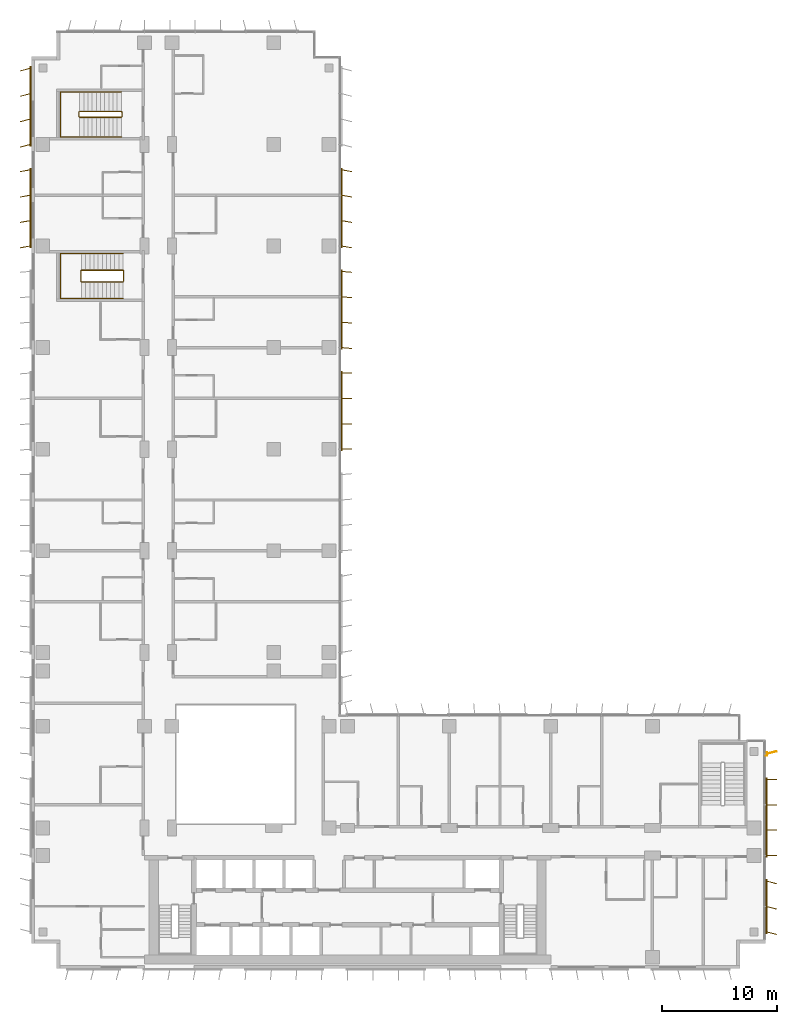
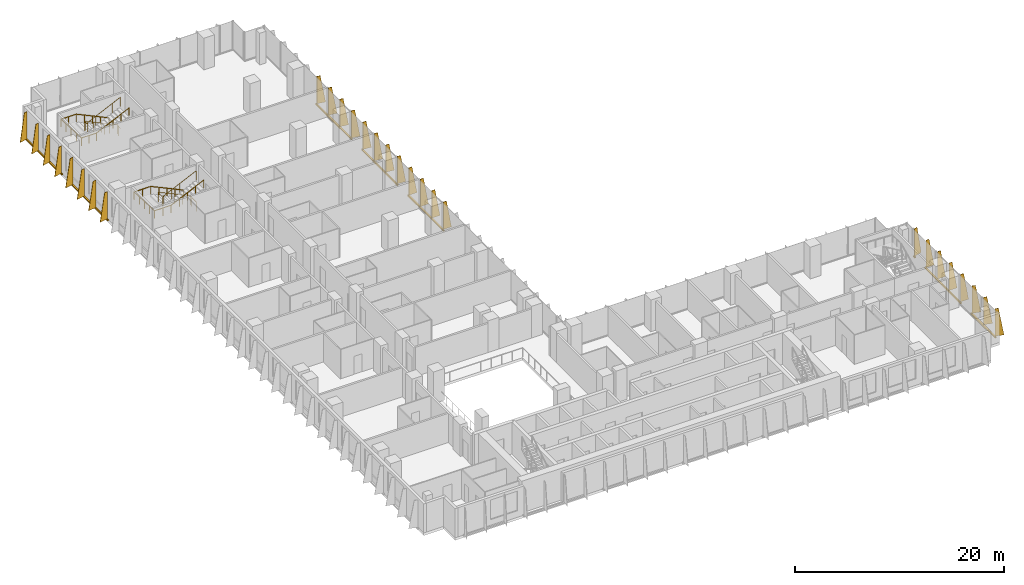
# One storey, part 22 of 23: 8 shading devices, 4 railings.
"""IFC4 building model written with IfcOpenShell, lengths in metres."""

from ifc_helpers import new_model, si_unit, direction, frame, origin, origin_2d, place, context, subcontext, project, spatial, polyline, rectangle, circle, outline, extrude, source, transform, mapped, material, layer, layer_set, type_object, element, save


model = new_model("IFC4")

# Units and contexts
model_context = context("Model", 3, precision=1e-05, world=origin(), true_north=direction((0.0, 1.0)))
body_context = subcontext(model_context, "Body", "Model", "MODEL_VIEW")
ifc_project = project(units=[si_unit("LENGTHUNIT", "METRE"), si_unit("AREAUNIT", "SQUARE_METRE"), si_unit("VOLUMEUNIT", "CUBIC_METRE"), si_unit("PLANEANGLEUNIT", "RADIAN"), si_unit("MASSUNIT", "GRAM", prefix="KILO")], contexts=[model_context])

# Site, building, storey
site_placement = place(None, origin())
site = spatial("IfcSite", under=ifc_project, at=site_placement, CompositionType="ELEMENT")
building_placement = place(site_placement, origin())
building = spatial("IfcBuilding", under=site, at=building_placement, Name="Kemantara Hotel Tower", CompositionType="ELEMENT")
storey_placement = place(building_placement, frame((0.0, 0.0, 142.0)))
storey = spatial("IfcBuildingStorey", under=building, at=storey_placement, Name="L34", CompositionType="ELEMENT", Elevation=142.0)

# Railings
ifc_material_1 = material(Name="Stainless steel balustrade", Category="steel")
railing_type_1 = type_object("IfcRailingType", Name="Stair guard 1100 mm", PredefinedType="GUARDRAIL", material=ifc_material_1)
railing_1_placement = place(storey_placement, frame((7.949951171875, 59.5, 3.699951171875)))
element("IfcRailing", 1, at=railing_1_placement, inside=storey, type_object=railing_type_1, Name="L34 ST4 stair guard 1", PredefinedType="GUARDRAIL", context=body_context, shape_type="SweptSolid", body=[
    extrude(circle(Radius=0.02392578125, at=origin_2d()), frame((0.0, 0.0, 1.076171875), z_axis=(-0.905994681025, 0.0, -0.423289071386), x_axis=(0.0, -1.0, 0.0)), (0.0, 0.0, 1.0), 3.973388671875),
    extrude(circle(Radius=0.02392578125, at=origin_2d()), frame((-3.599853515625, 0.0, -0.60595703125), z_axis=(-0.274582412415, 0.274582412415, -0.921525364591), x_axis=(-0.707106781187, -0.707106781187, 0.0)), (0.0, 0.0, 1.0), 0.182373046875),
    extrude(circle(Radius=0.02392578125, at=origin_2d()), frame((-3.64990234375, 0.050048828125, -0.77392578125), z_axis=(0.0, 1.0, 0.0), x_axis=(-1.0, 0.0, 0.0)), (0.0, 0.0, 1.0), 0.89990234375),
    extrude(circle(Radius=0.02392578125, at=origin_2d()), frame((-3.64990234375, 0.949951171875, -0.77392578125), z_axis=(0.707106781187, 0.707106781187, 0.0), x_axis=(-0.707106781187, 0.707106781187, 0.0)), (0.0, 0.0, 1.0), 0.07080078125),
    extrude(circle(Radius=0.02392578125, at=origin_2d()), frame((-3.599853515625, 1.0, -0.77392578125), z_axis=(0.905994681025, 0.0, -0.423289071386), x_axis=(0.0, 1.0, 0.0)), (0.0, 0.0, 1.0), 3.973388671875),
    extrude(circle(Radius=0.02392578125, at=origin_2d()), frame((0.0, 1.0, -2.45556640625), z_axis=(0.274243871929, -0.274243871929, -0.92172696468), x_axis=(0.707106781187, 0.707106781187, 0.0)), (0.0, 0.0, 1.0), 0.1826171875),
    extrude(circle(Radius=0.02392578125, at=origin_2d()), frame((0.050048828125, 0.949951171875, -2.6240234375), z_axis=(0.0, -1.0, 0.0), x_axis=(1.0, 0.0, 0.0)), (0.0, 0.0, 1.0), 0.89990234375),
    extrude(circle(Radius=0.02099609375, at=origin_2d()), origin(), (0.0, 0.0, 1.0), 1.052001953125),
    extrude(circle(Radius=0.02099609375, at=origin_2d()), frame((-0.89990234375, 0.0, -0.42041015625)), (0.0, 0.0, 1.0), 1.052001953125),
    extrude(circle(Radius=0.02099609375, at=origin_2d()), frame((-1.7998046875, 0.0, -0.8408203125)), (0.0, 0.0, 1.0), 1.052001953125),
    extrude(circle(Radius=0.02099609375, at=origin_2d()), frame((-2.699951171875, 0.0, -1.261474609375)), (0.0, 0.0, 1.0), 1.052001953125),
    extrude(circle(Radius=0.02099609375, at=origin_2d()), frame((-3.599853515625, 0.0, -1.681884765625)), (0.0, 0.0, 1.0), 1.052001953125),
    extrude(circle(Radius=0.02099609375, at=origin_2d()), frame((-3.64990234375, 0.050048828125, -1.849853515625)), (0.0, 0.0, 1.0), 1.052001953125),
    extrude(circle(Radius=0.02099609375, at=origin_2d()), frame((-3.64990234375, 0.949951171875, -1.849853515625)), (0.0, 0.0, 1.0), 1.052001953125),
    extrude(circle(Radius=0.02099609375, at=origin_2d()), frame((-3.599853515625, 1.0, -1.849853515625)), (0.0, 0.0, 1.0), 1.052001953125),
    extrude(circle(Radius=0.02099609375, at=origin_2d()), frame((-2.699951171875, 1.0, -2.270263671875)), (0.0, 0.0, 1.0), 1.052001953125),
    extrude(circle(Radius=0.02099609375, at=origin_2d()), frame((-1.7998046875, 1.0, -2.69091796875)), (0.0, 0.0, 1.0), 1.052001953125),
    extrude(circle(Radius=0.02099609375, at=origin_2d()), frame((-0.89990234375, 1.0, -3.111328125)), (0.0, 0.0, 1.0), 1.052001953125),
    extrude(circle(Radius=0.02099609375, at=origin_2d()), frame((0.0, 1.0, -3.53173828125)), (0.0, 0.0, 1.0), 1.052001953125),
    extrude(circle(Radius=0.02099609375, at=origin_2d()), frame((0.050048828125, 0.949951171875, -3.699951171875)), (0.0, 0.0, 1.0), 1.052001953125),
    extrude(circle(Radius=0.02099609375, at=origin_2d()), frame((0.050048828125, 0.050048828125, -3.699951171875)), (0.0, 0.0, 1.0), 1.052001953125),
])
railing_2_placement = place(storey_placement, frame((7.800048828125, 73.75, 3.699951171875)))
element("IfcRailing", 2, at=railing_2_placement, inside=storey, type_object=railing_type_1, Name="L34 ST6 stair guard 1", PredefinedType="GUARDRAIL", context=body_context, shape_type="SweptSolid", body=[
    extrude(circle(Radius=0.02392578125, at=origin_2d()), frame((0.0, 0.0, 1.076171875), z_axis=(-0.906005689286, 0.0, -0.423265508849), x_axis=(0.0, -1.0, 0.0)), (0.0, 0.0, 1.0), 3.9736328125),
    extrude(circle(Radius=0.02392578125, at=origin_2d()), frame((-3.60009765625, 0.0, -0.60595703125), z_axis=(-0.274582412415, 0.274582412415, -0.921525364591), x_axis=(-0.707106781187, -0.707106781187, 0.0)), (0.0, 0.0, 1.0), 0.182373046875),
    extrude(circle(Radius=0.02392578125, at=origin_2d()), frame((-3.650146484375, 0.050048828125, -0.77392578125), z_axis=(0.0, 1.0, 0.0), x_axis=(-1.0, 0.0, 0.0)), (0.0, 0.0, 1.0), 0.39990234375),
    extrude(circle(Radius=0.02392578125, at=origin_2d()), frame((-3.650146484375, 0.449951171875, -0.77392578125), z_axis=(0.707106781187, 0.707106781187, 0.0), x_axis=(-0.707106781187, 0.707106781187, 0.0)), (0.0, 0.0, 1.0), 0.07080078125),
    extrude(circle(Radius=0.02392578125, at=origin_2d()), frame((-3.60009765625, 0.5, -0.77392578125), z_axis=(0.906005689286, 0.0, -0.423265508849), x_axis=(0.0, 1.0, 0.0)), (0.0, 0.0, 1.0), 3.9736328125),
    extrude(circle(Radius=0.02392578125, at=origin_2d()), frame((0.0, 0.5, -2.45556640625), z_axis=(0.274243871929, -0.274243871929, -0.92172696468), x_axis=(0.707106781187, 0.707106781187, 0.0)), (0.0, 0.0, 1.0), 0.1826171875),
    extrude(circle(Radius=0.02392578125, at=origin_2d()), frame((0.050048828125, 0.449951171875, -2.6240234375), z_axis=(0.0, -1.0, 0.0), x_axis=(1.0, 0.0, 0.0)), (0.0, 0.0, 1.0), 0.39990234375),
    extrude(circle(Radius=0.02099609375, at=origin_2d()), origin(), (0.0, 0.0, 1.0), 1.052001953125),
    extrude(circle(Radius=0.02099609375, at=origin_2d()), frame((-0.89990234375, 0.0, -0.42041015625)), (0.0, 0.0, 1.0), 1.052001953125),
    extrude(circle(Radius=0.02099609375, at=origin_2d()), frame((-1.800048828125, 0.0, -0.8408203125)), (0.0, 0.0, 1.0), 1.052001953125),
    extrude(circle(Radius=0.02099609375, at=origin_2d()), frame((-2.7001953125, 0.0, -1.261474609375)), (0.0, 0.0, 1.0), 1.052001953125),
    extrude(circle(Radius=0.02099609375, at=origin_2d()), frame((-3.60009765625, 0.0, -1.681884765625)), (0.0, 0.0, 1.0), 1.052001953125),
    extrude(circle(Radius=0.02099609375, at=origin_2d()), frame((-3.650146484375, 0.050048828125, -1.849853515625)), (0.0, 0.0, 1.0), 1.052001953125),
    extrude(circle(Radius=0.02099609375, at=origin_2d()), frame((-3.650146484375, 0.449951171875, -1.849853515625)), (0.0, 0.0, 1.0), 1.052001953125),
    extrude(circle(Radius=0.02099609375, at=origin_2d()), frame((-3.60009765625, 0.5, -1.849853515625)), (0.0, 0.0, 1.0), 1.052001953125),
    extrude(circle(Radius=0.02099609375, at=origin_2d()), frame((-2.7001953125, 0.5, -2.270263671875)), (0.0, 0.0, 1.0), 1.052001953125),
    extrude(circle(Radius=0.02099609375, at=origin_2d()), frame((-1.800048828125, 0.5, -2.69091796875)), (0.0, 0.0, 1.0), 1.052001953125),
    extrude(circle(Radius=0.02099609375, at=origin_2d()), frame((-0.89990234375, 0.5, -3.111328125)), (0.0, 0.0, 1.0), 1.052001953125),
    extrude(circle(Radius=0.02099609375, at=origin_2d()), frame((0.0, 0.5, -3.53173828125)), (0.0, 0.0, 1.0), 1.052001953125),
    extrude(circle(Radius=0.02099609375, at=origin_2d()), frame((0.050048828125, 0.449951171875, -3.699951171875)), (0.0, 0.0, 1.0), 1.052001953125),
    extrude(circle(Radius=0.02099609375, at=origin_2d()), frame((0.050048828125, 0.050048828125, -3.699951171875)), (0.0, 0.0, 1.0), 1.052001953125),
])
railing_type_2 = type_object("IfcRailingType", Name="Stair handrail 900 mm", PredefinedType="HANDRAIL", material=ifc_material_1)
railing_3_placement = place(storey_placement, frame((7.949951171875, 61.949951171875, 0.168212890625)))
element("IfcRailing", 3, at=railing_3_placement, inside=storey, type_object=railing_type_2, Name="L34 ST4 stair handrail 1", PredefinedType="HANDRAIL", context=body_context, shape_type="SweptSolid", body=[
    extrude(circle(Radius=0.02392578125, at=origin_2d()), frame((0.0, 0.0, 0.8759765625), z_axis=(-0.905994681025, 0.0, 0.423289071386), x_axis=(0.0, -1.0, 0.0)), (0.0, 0.0, 1.0), 3.973388671875),
    extrude(circle(Radius=0.02392578125, at=origin_2d()), frame((-3.599853515625, 0.0, 2.5576171875), z_axis=(-1.0, 0.0, 0.0), x_axis=(0.0, -1.0, 0.0)), (0.0, 0.0, 1.0), 1.830078125),
    extrude(circle(Radius=0.02392578125, at=origin_2d()), frame((-5.429931640625, 0.0, 2.5576171875), z_axis=(0.0, -0.999073776461, 0.043030096294), x_axis=(1.0, 0.0, 0.0)), (0.0, 0.0, 1.0), 3.903564453125),
    extrude(circle(Radius=0.02392578125, at=origin_2d()), frame((-5.429931640625, -3.89990234375, 2.7255859375), z_axis=(1.0, 0.0, 0.0), x_axis=(0.0, 1.0, 0.0)), (0.0, 0.0, 1.0), 1.830078125),
    extrude(circle(Radius=0.02392578125, at=origin_2d()), frame((-3.599853515625, -3.89990234375, 2.7255859375), z_axis=(0.905994681025, 0.0, 0.423289071386), x_axis=(0.0, 1.0, 0.0)), (0.0, 0.0, 1.0), 3.973388671875),
    extrude(circle(Radius=0.02099609375, at=origin_2d()), origin(), (0.0, 0.0, 1.0), 0.851806640625),
    extrude(circle(Radius=0.02099609375, at=origin_2d()), frame((-0.89990234375, 0.0, 0.42041015625)), (0.0, 0.0, 1.0), 0.851806640625),
    extrude(circle(Radius=0.02099609375, at=origin_2d()), frame((-1.7998046875, 0.0, 0.8408203125)), (0.0, 0.0, 1.0), 0.851806640625),
    extrude(circle(Radius=0.02099609375, at=origin_2d()), frame((-2.699951171875, 0.0, 1.261474609375)), (0.0, 0.0, 1.0), 0.851806640625),
    extrude(circle(Radius=0.02099609375, at=origin_2d()), frame((-3.599853515625, 0.0, 1.681884765625)), (0.0, 0.0, 1.0), 0.851806640625),
    extrude(circle(Radius=0.02099609375, at=origin_2d()), frame((-4.514892578125, 0.0, 1.681884765625)), (0.0, 0.0, 1.0), 0.851806640625),
    extrude(circle(Radius=0.02099609375, at=origin_2d()), frame((-5.429931640625, 0.0, 1.681884765625)), (0.0, 0.0, 1.0), 0.851806640625),
    extrude(circle(Radius=0.02099609375, at=origin_2d()), frame((-5.429931640625, -0.97509765625, 1.723876953125)), (0.0, 0.0, 1.0), 0.851806640625),
    extrude(circle(Radius=0.02099609375, at=origin_2d()), frame((-5.429931640625, -1.949951171875, 1.765869140625)), (0.0, 0.0, 1.0), 0.851806640625),
    extrude(circle(Radius=0.02099609375, at=origin_2d()), frame((-5.429931640625, -2.9248046875, 1.807861328125)), (0.0, 0.0, 1.0), 0.851806640625),
    extrude(circle(Radius=0.02099609375, at=origin_2d()), frame((-5.429931640625, -3.89990234375, 1.849853515625)), (0.0, 0.0, 1.0), 0.851806640625),
    extrude(circle(Radius=0.02099609375, at=origin_2d()), frame((-4.514892578125, -3.89990234375, 1.849853515625)), (0.0, 0.0, 1.0), 0.851806640625),
    extrude(circle(Radius=0.02099609375, at=origin_2d()), frame((-3.599853515625, -3.89990234375, 1.849853515625)), (0.0, 0.0, 1.0), 0.851806640625),
    extrude(circle(Radius=0.02099609375, at=origin_2d()), frame((-2.699951171875, -3.89990234375, 2.270263671875)), (0.0, 0.0, 1.0), 0.851806640625),
    extrude(circle(Radius=0.02099609375, at=origin_2d()), frame((-1.7998046875, -3.89990234375, 2.69091796875)), (0.0, 0.0, 1.0), 0.851806640625),
    extrude(circle(Radius=0.02099609375, at=origin_2d()), frame((-0.89990234375, -3.89990234375, 3.111328125)), (0.0, 0.0, 1.0), 0.851806640625),
    extrude(circle(Radius=0.02099609375, at=origin_2d()), frame((0.0, -3.89990234375, 3.53173828125)), (0.0, 0.0, 1.0), 0.851806640625),
])
railing_4_placement = place(storey_placement, frame((7.800048828125, 75.949951171875, 0.168212890625)))
element("IfcRailing", 4, at=railing_4_placement, inside=storey, type_object=railing_type_2, Name="L34 ST6 stair handrail 1", PredefinedType="HANDRAIL", context=body_context, shape_type="SweptSolid", body=[
    extrude(circle(Radius=0.02392578125, at=origin_2d()), frame((0.0, 0.0, 0.8759765625), z_axis=(-0.906005689286, 0.0, 0.423265508849), x_axis=(0.0, -1.0, 0.0)), (0.0, 0.0, 1.0), 3.9736328125),
    extrude(circle(Radius=0.02392578125, at=origin_2d()), frame((-3.60009765625, 0.0, 2.5576171875), z_axis=(-1.0, 0.0, 0.0), x_axis=(0.0, -1.0, 0.0)), (0.0, 0.0, 1.0), 1.679931640625),
    extrude(circle(Radius=0.02392578125, at=origin_2d()), frame((-5.280029296875, 0.0, 2.5576171875), z_axis=(0.0, -0.999073776461, 0.043030096294), x_axis=(1.0, 0.0, 0.0)), (0.0, 0.0, 1.0), 3.903564453125),
    extrude(circle(Radius=0.02392578125, at=origin_2d()), frame((-5.280029296875, -3.89990234375, 2.7255859375), z_axis=(1.0, 0.0, 0.0), x_axis=(0.0, 1.0, 0.0)), (0.0, 0.0, 1.0), 1.679931640625),
    extrude(circle(Radius=0.02392578125, at=origin_2d()), frame((-3.60009765625, -3.89990234375, 2.7255859375), z_axis=(0.906005689286, 0.0, 0.423265508849), x_axis=(0.0, 1.0, 0.0)), (0.0, 0.0, 1.0), 3.9736328125),
    extrude(circle(Radius=0.02099609375, at=origin_2d()), origin(), (0.0, 0.0, 1.0), 0.851806640625),
    extrude(circle(Radius=0.02099609375, at=origin_2d()), frame((-0.89990234375, 0.0, 0.42041015625)), (0.0, 0.0, 1.0), 0.851806640625),
    extrude(circle(Radius=0.02099609375, at=origin_2d()), frame((-1.800048828125, 0.0, 0.8408203125)), (0.0, 0.0, 1.0), 0.851806640625),
    extrude(circle(Radius=0.02099609375, at=origin_2d()), frame((-2.7001953125, 0.0, 1.261474609375)), (0.0, 0.0, 1.0), 0.851806640625),
    extrude(circle(Radius=0.02099609375, at=origin_2d()), frame((-3.60009765625, 0.0, 1.681884765625)), (0.0, 0.0, 1.0), 0.851806640625),
    extrude(circle(Radius=0.02099609375, at=origin_2d()), frame((-4.43994140625, 0.0, 1.681884765625)), (0.0, 0.0, 1.0), 0.851806640625),
    extrude(circle(Radius=0.02099609375, at=origin_2d()), frame((-5.280029296875, 0.0, 1.681884765625)), (0.0, 0.0, 1.0), 0.851806640625),
    extrude(circle(Radius=0.02099609375, at=origin_2d()), frame((-5.280029296875, -0.97509765625, 1.723876953125)), (0.0, 0.0, 1.0), 0.851806640625),
    extrude(circle(Radius=0.02099609375, at=origin_2d()), frame((-5.280029296875, -1.949951171875, 1.765869140625)), (0.0, 0.0, 1.0), 0.851806640625),
    extrude(circle(Radius=0.02099609375, at=origin_2d()), frame((-5.280029296875, -2.9248046875, 1.807861328125)), (0.0, 0.0, 1.0), 0.851806640625),
    extrude(circle(Radius=0.02099609375, at=origin_2d()), frame((-5.280029296875, -3.89990234375, 1.849853515625)), (0.0, 0.0, 1.0), 0.851806640625),
    extrude(circle(Radius=0.02099609375, at=origin_2d()), frame((-4.43994140625, -3.89990234375, 1.849853515625)), (0.0, 0.0, 1.0), 0.851806640625),
    extrude(circle(Radius=0.02099609375, at=origin_2d()), frame((-3.60009765625, -3.89990234375, 1.849853515625)), (0.0, 0.0, 1.0), 0.851806640625),
    extrude(circle(Radius=0.02099609375, at=origin_2d()), frame((-2.7001953125, -3.89990234375, 2.270263671875)), (0.0, 0.0, 1.0), 0.851806640625),
    extrude(circle(Radius=0.02099609375, at=origin_2d()), frame((-1.800048828125, -3.89990234375, 2.69091796875)), (0.0, 0.0, 1.0), 0.851806640625),
    extrude(circle(Radius=0.02099609375, at=origin_2d()), frame((-0.89990234375, -3.89990234375, 3.111328125)), (0.0, 0.0, 1.0), 0.851806640625),
    extrude(circle(Radius=0.02099609375, at=origin_2d()), frame((0.0, -3.89990234375, 3.53173828125)), (0.0, 0.0, 1.0), 0.851806640625),
])

# Shading devices
ifc_material_2 = material(Name="Perforated aluminium plate 4 mm bronze anodised", Category="aluminium")
ifc_layer_1 = layer(ifc_material_2, 0.0400390625)
ifc_layer_set_1 = layer_set([ifc_layer_1], Name="Perforated aluminium plate 4 mm bronze anodised")
shading_device_type_1 = type_object("IfcShadingDeviceType", Name="SCREEN FIN CASSETTE, 3 BLADES AT -15.0 DEG, 3200 HIGH", PredefinedType="USERDEFINED", material=ifc_layer_set_1)
shared_shape_1 = source(origin(), body_context, "Body", "SweptSolid", [
    extrude(rectangle(XDim=4.699951171875, YDim=0.14990234375, at=origin_2d()), frame((2.199951171875, -0.074951171875, -0.14990234375), z_axis=(0.0, 0.0, 1.0), x_axis=(1.0, 0.0, 0.0)), (0.0, 0.0, 1.0), 0.14990234375),
    extrude(outline(polyline([(0.0, 0.0), (0.89990234375, 0.0), (0.35009765625, 3.199951171875), (0.0, 3.199951171875), (0.0, 0.0)])), frame((0.019287109375, -0.080078125, 0.0), z_axis=(-0.966437683387, 0.256901156343, 0.0), x_axis=(-0.256901156343, -0.966437683387, 0.0)), (0.0, 0.0, 1.0), 0.039794921875),
    extrude(outline(polyline([(0.0, 0.0), (0.89990234375, 0.0), (0.35009765625, 3.199951171875), (0.0, 3.199951171875), (0.0, 0.0)])), frame((2.21923828125, -0.080078125, 0.0), z_axis=(-0.966437683387, 0.256901156343, 0.0), x_axis=(-0.256901156343, -0.966437683387, 0.0)), (0.0, 0.0, 1.0), 0.039794921875),
    extrude(outline(polyline([(0.0, 0.0), (0.89990234375, 0.0), (0.35009765625, 3.199951171875), (0.0, 3.199951171875), (0.0, 0.0)])), frame((4.41943359375, -0.080078125, 0.0), z_axis=(-0.966837822169, 0.255391122837, 0.0), x_axis=(-0.255391122837, -0.966837822169, 0.0)), (0.0, 0.0, 1.0), 0.0400390625),
])
shading_device_1_placement = place(storey_placement, frame((63.60009765625, 3.199951171875, 0.10009765625), z_axis=(0.0, 0.0, 1.0), x_axis=(0.0, 1.0, 0.0)))
element("IfcShadingDevice", 5, at=shading_device_1_placement, inside=storey, type_object=shading_device_type_1, Name="SCREEN FIN CASSETTE L34 T2-R10-1", ObjectType="SCREEN FIN", PredefinedType="USERDEFINED", context=body_context, shape_type="MappedRepresentation", body=[
    mapped(shared_shape_1, transform((0.0, 0.0, 0.0))),
])
ifc_layer_2 = layer(ifc_material_2, 0.0400390625)
ifc_layer_set_2 = layer_set([ifc_layer_2], Name="Perforated aluminium plate 4 mm bronze anodised")
shading_device_type_2 = type_object("IfcShadingDeviceType", Name="SCREEN FIN CASSETTE, 4 BLADES AT -10.0 DEG, 3200 HIGH", PredefinedType="USERDEFINED", material=ifc_layer_set_2)
shared_shape_2 = source(origin(), body_context, "Body", "SweptSolid", [
    extrude(rectangle(XDim=6.89990234375, YDim=0.14990234375, at=origin_2d()), frame((3.300048828125, -0.074951171875, -0.14990234375), z_axis=(0.0, 0.0, 1.0), x_axis=(1.0, 0.0, 0.0)), (0.0, 0.0, 1.0), 0.14990234375),
    extrude(outline(polyline([(0.0, 0.0), (0.89990234375, 0.0), (0.35009765625, 3.199951171875), (0.0, 3.199951171875), (0.0, 0.0)])), frame((0.019775390625, -0.078369140625, 0.0), z_axis=(-0.985389793052, 0.170314285219, 0.0), x_axis=(-0.170314285219, -0.985389793052, 0.0)), (0.0, 0.0, 1.0), 0.0400390625),
    extrude(outline(polyline([(0.0, 0.0), (0.89990234375, 0.0), (0.35009765625, 3.199951171875), (0.0, 3.199951171875), (0.0, 0.0)])), frame((2.2197265625, -0.078369140625, 0.0), z_axis=(-0.98521175482, 0.171341174751, 0.0), x_axis=(-0.171341174751, -0.98521175482, 0.0)), (0.0, 0.0, 1.0), 0.039794921875),
    extrude(outline(polyline([(0.0, 0.0), (0.89990234375, 0.0), (0.35009765625, 3.199951171875), (0.0, 3.199951171875), (0.0, 0.0)])), frame((4.419677734375, -0.078369140625, 0.0), z_axis=(-0.98521175482, 0.171341174751, 0.0), x_axis=(-0.171341174751, -0.98521175482, 0.0)), (0.0, 0.0, 1.0), 0.039794921875),
    extrude(outline(polyline([(0.0, 0.0), (0.89990234375, 0.0), (0.35009765625, 3.199951171875), (0.0, 3.199951171875), (0.0, 0.0)])), frame((6.61962890625, -0.078369140625, 0.0), z_axis=(-0.98521175482, 0.171341174751, 0.0), x_axis=(-0.171341174751, -0.98521175482, 0.0)), (0.0, 0.0, 1.0), 0.039794921875),
])
shading_device_2_placement = place(storey_placement, frame((26.800048828125, 62.60009765625, 0.10009765625), z_axis=(0.0, 0.0, 1.0), x_axis=(0.0, 1.0, 0.0)))
element("IfcShadingDevice", 6, at=shading_device_2_placement, inside=storey, type_object=shading_device_type_2, Name="SCREEN FIN CASSETTE L34 T2-R14-6", ObjectType="SCREEN FIN", PredefinedType="USERDEFINED", context=body_context, shape_type="MappedRepresentation", body=[
    mapped(shared_shape_2, transform((0.0, 0.0, 0.0))),
])
ifc_layer_3 = layer(ifc_material_2, 0.0400390625)
ifc_layer_set_3 = layer_set([ifc_layer_3], Name="Perforated aluminium plate 4 mm bronze anodised")
shading_device_type_3 = type_object("IfcShadingDeviceType", Name="SCREEN FIN CASSETTE, 4 BLADES AT -5.0 DEG, 3200 HIGH", PredefinedType="USERDEFINED", material=ifc_layer_set_3)
shared_shape_3 = source(origin(), body_context, "Body", "SweptSolid", [
    extrude(rectangle(XDim=6.89990234375, YDim=0.14990234375, at=origin_2d()), frame((3.300048828125, -0.074951171875, -0.14990234375), z_axis=(0.0, 0.0, 1.0), x_axis=(1.0, 0.0, 0.0)), (0.0, 0.0, 1.0), 0.14990234375),
    extrude(outline(polyline([(0.0, 0.0), (0.89990234375, 0.0), (0.35009765625, 3.199951171875), (0.0, 3.199951171875), (0.0, 0.0)])), frame((0.02001953125, -0.07666015625, 0.0), z_axis=(-0.996376129781, 0.085056498884, 0.0), x_axis=(-0.085056498884, -0.996376129781, 0.0)), (0.0, 0.0, 1.0), 0.040283203125),
    extrude(outline(polyline([(0.0, 0.0), (0.89990234375, 0.0), (0.35009765625, 3.199951171875), (0.0, 3.199951171875), (0.0, 0.0)])), frame((2.219970703125, -0.07666015625, 0.0), z_axis=(-0.996331773833, 0.085574508182, 0.0), x_axis=(-0.085574508182, -0.996331773833, 0.0)), (0.0, 0.0, 1.0), 0.0400390625),
    extrude(outline(polyline([(0.0, 0.0), (0.89990234375, 0.0), (0.35009765625, 3.199951171875), (0.0, 3.199951171875), (0.0, 0.0)])), frame((4.419921875, -0.07666015625, 0.0), z_axis=(-0.996331773833, 0.085574508182, 0.0), x_axis=(-0.085574508182, -0.996331773833, 0.0)), (0.0, 0.0, 1.0), 0.0400390625),
    extrude(outline(polyline([(0.0, 0.0), (0.89990234375, 0.0), (0.35009765625, 3.199951171875), (0.0, 3.199951171875), (0.0, 0.0)])), frame((6.619873046875, -0.07666015625, 0.0), z_axis=(-0.996331773833, 0.085574508182, 0.0), x_axis=(-0.085574508182, -0.996331773833, 0.0)), (0.0, 0.0, 1.0), 0.0400390625),
])
shading_device_3_placement = place(storey_placement, frame((26.800048828125, 53.800048828125, 0.10009765625), z_axis=(0.0, 0.0, 1.0), x_axis=(0.0, 1.0, 0.0)))
element("IfcShadingDevice", 7, at=shading_device_3_placement, inside=storey, type_object=shading_device_type_3, Name="SCREEN FIN CASSETTE L34 T2-R14-5", ObjectType="SCREEN FIN", PredefinedType="USERDEFINED", context=body_context, shape_type="MappedRepresentation", body=[
    mapped(shared_shape_3, transform((0.0, 0.0, 0.0))),
])
ifc_layer_4 = layer(ifc_material_2, 0.0400390625)
ifc_layer_set_4 = layer_set([ifc_layer_4], Name="Perforated aluminium plate 4 mm bronze anodised")
shading_device_type_4 = type_object("IfcShadingDeviceType", Name="SCREEN FIN CASSETTE, 4 BLADES AT +0.0 DEG, 3200 HIGH", PredefinedType="USERDEFINED", material=ifc_layer_set_4)
shared_shape_4 = source(origin(), body_context, "Body", "SweptSolid", [
    extrude(rectangle(XDim=6.89990234375, YDim=0.14990234375, at=origin_2d()), frame((3.300048828125, -0.074951171875, -0.14990234375), z_axis=(0.0, 0.0, 1.0), x_axis=(1.0, 0.0, 0.0)), (0.0, 0.0, 1.0), 0.14990234375),
    extrude(outline(polyline([(0.0, 0.0), (0.89990234375, 0.0), (0.35009765625, 3.199951171875), (0.0, 3.199951171875), (0.0, 0.0)])), frame((0.02001953125, -0.074951171875, 0.0), z_axis=(-1.0, 0.0, 0.0), x_axis=(0.0, -1.0, 0.0)), (0.0, 0.0, 1.0), 0.0400390625),
    extrude(outline(polyline([(0.0, 0.0), (0.89990234375, 0.0), (0.35009765625, 3.199951171875), (0.0, 3.199951171875), (0.0, 0.0)])), frame((2.219970703125, -0.074951171875, 0.0), z_axis=(-1.0, 0.0, 0.0), x_axis=(0.0, -1.0, 0.0)), (0.0, 0.0, 1.0), 0.0400390625),
    extrude(outline(polyline([(0.0, 0.0), (0.89990234375, 0.0), (0.35009765625, 3.199951171875), (0.0, 3.199951171875), (0.0, 0.0)])), frame((4.419921875, -0.074951171875, 0.0), z_axis=(-1.0, 0.0, 0.0), x_axis=(0.0, -1.0, 0.0)), (0.0, 0.0, 1.0), 0.0400390625),
    extrude(outline(polyline([(0.0, 0.0), (0.89990234375, 0.0), (0.35009765625, 3.199951171875), (0.0, 3.199951171875), (0.0, 0.0)])), frame((6.6201171875, -0.074951171875, 0.0), z_axis=(-1.0, 0.0, 0.0), x_axis=(0.0, -1.0, 0.0)), (0.0, 0.0, 1.0), 0.0400390625),
])
for number, where, z_axis, x_axis, name in (
    (8, (63.60009765625, 9.800048828125, 0.10009765625), (0.0, 0.0, 1.0), (0.0, 1.0, 0.0), "SCREEN FIN CASSETTE L34 T2-R10-2"),
    (9, (26.800048828125, 45.0, 0.10009765625), (0.0, 0.0, 1.0), (0.0, 1.0, 0.0), "SCREEN FIN CASSETTE L34 T2-R14-4"),
):
    element("IfcShadingDevice", number, at=place(storey_placement, frame(where, z_axis=z_axis, x_axis=x_axis)), inside=storey, type_object=shading_device_type_4, Name=name, ObjectType="SCREEN FIN", PredefinedType="USERDEFINED", context=body_context, shape_type="MappedRepresentation", body=[
        mapped(shared_shape_4, transform((0.0, 0.0, 0.0))),
    ])
ifc_layer_5 = layer(ifc_material_2, 0.0400390625)
ifc_layer_set_5 = layer_set([ifc_layer_5], Name="Perforated aluminium plate 4 mm bronze anodised")
shading_device_type_5 = type_object("IfcShadingDeviceType", Name="SCREEN FIN CASSETTE, 4 BLADES AT +10.0 DEG, 3200 HIGH", PredefinedType="USERDEFINED", material=ifc_layer_set_5)
shared_shape_5 = source(origin(), body_context, "Body", "SweptSolid", [
    extrude(rectangle(XDim=6.89990234375, YDim=0.14990234375, at=origin_2d()), frame((3.300048828125, -0.074951171875, -0.14990234375), z_axis=(0.0, 0.0, 1.0), x_axis=(1.0, 0.0, 0.0)), (0.0, 0.0, 1.0), 0.14990234375),
    extrude(outline(polyline([(0.0, 0.0), (0.89990234375, 0.0), (0.35009765625, 3.199951171875), (0.0, 3.199951171875), (0.0, 0.0)])), frame((0.019775390625, -0.071533203125, 0.0), z_axis=(-0.985389793052, -0.170314285219, 0.0), x_axis=(0.170314285219, -0.985389793052, 0.0)), (0.0, 0.0, 1.0), 0.0400390625),
    extrude(outline(polyline([(0.0, 0.0), (0.89990234375, 0.0), (0.35009765625, 3.199951171875), (0.0, 3.199951171875), (0.0, 0.0)])), frame((2.2197265625, -0.071533203125, 0.0), z_axis=(-0.98521175482, -0.171341174751, 0.0), x_axis=(0.171341174751, -0.98521175482, 0.0)), (0.0, 0.0, 1.0), 0.039794921875),
    extrude(outline(polyline([(0.0, 0.0), (0.89990234375, 0.0), (0.35009765625, 3.199951171875), (0.0, 3.199951171875), (0.0, 0.0)])), frame((4.419677734375, -0.071533203125, 0.0), z_axis=(-0.98521175482, -0.171341174751, 0.0), x_axis=(0.171341174751, -0.98521175482, 0.0)), (0.0, 0.0, 1.0), 0.039794921875),
    extrude(outline(polyline([(0.0, 0.0), (0.89990234375, 0.0), (0.35009765625, 3.199951171875), (0.0, 3.199951171875), (0.0, 0.0)])), frame((6.61962890625, -0.071533203125, 0.0), z_axis=(-0.98521175482, -0.171341174751, 0.0), x_axis=(0.171341174751, -0.98521175482, 0.0)), (0.0, 0.0, 1.0), 0.039794921875),
])
shading_device_4_placement = place(storey_placement, frame((0.0, 69.199951171875, 0.10009765625), z_axis=(0.0, 0.0, 1.0), x_axis=(0.0, -1.0, 0.0)))
element("IfcShadingDevice", 10, at=shading_device_4_placement, inside=storey, type_object=shading_device_type_5, Name="SCREEN FIN CASSETTE L34 T2-R04-2", ObjectType="SCREEN FIN", PredefinedType="USERDEFINED", context=body_context, shape_type="MappedRepresentation", body=[
    mapped(shared_shape_5, transform((0.0, 0.0, 0.0))),
])
ifc_layer_6 = layer(ifc_material_2, 0.0400390625)
ifc_layer_set_6 = layer_set([ifc_layer_6], Name="Perforated aluminium plate 4 mm bronze anodised")
shading_device_type_6 = type_object("IfcShadingDeviceType", Name="SCREEN FIN CASSETTE, 4 BLADES AT +15.0 DEG, 3200 HIGH", PredefinedType="USERDEFINED", material=ifc_layer_set_6)
shared_shape_6 = source(origin(), body_context, "Body", "SweptSolid", [
    extrude(rectangle(XDim=6.89990234375, YDim=0.14990234375, at=origin_2d()), frame((3.300048828125, -0.074951171875, -0.14990234375), z_axis=(0.0, 0.0, 1.0), x_axis=(1.0, 0.0, 0.0)), (0.0, 0.0, 1.0), 0.14990234375),
    extrude(outline(polyline([(0.0, 0.0), (0.89990234375, 0.0), (0.35009765625, 3.199951171875), (0.0, 3.199951171875), (0.0, 0.0)])), frame((0.019287109375, -0.06982421875, 0.0), z_axis=(-0.966437683387, -0.256901156343, 0.0), x_axis=(0.256901156343, -0.966437683387, 0.0)), (0.0, 0.0, 1.0), 0.039794921875),
    extrude(outline(polyline([(0.0, 0.0), (0.89990234375, 0.0), (0.35009765625, 3.199951171875), (0.0, 3.199951171875), (0.0, 0.0)])), frame((2.21923828125, -0.06982421875, 0.0), z_axis=(-0.966437683387, -0.256901156343, 0.0), x_axis=(0.256901156343, -0.966437683387, 0.0)), (0.0, 0.0, 1.0), 0.039794921875),
    extrude(outline(polyline([(0.0, 0.0), (0.89990234375, 0.0), (0.35009765625, 3.199951171875), (0.0, 3.199951171875), (0.0, 0.0)])), frame((4.41943359375, -0.06982421875, 0.0), z_axis=(-0.966837822169, -0.255391122837, 0.0), x_axis=(0.255391122837, -0.966837822169, 0.0)), (0.0, 0.0, 1.0), 0.0400390625),
    extrude(outline(polyline([(0.0, 0.0), (0.89990234375, 0.0), (0.35009765625, 3.199951171875), (0.0, 3.199951171875), (0.0, 0.0)])), frame((6.619384765625, -0.06982421875, 0.0), z_axis=(-0.966837822169, -0.255391122837, 0.0), x_axis=(0.255391122837, -0.966837822169, 0.0)), (0.0, 0.0, 1.0), 0.0400390625),
])
shading_device_5_placement = place(storey_placement, frame((0.0, 78.0, 0.10009765625), z_axis=(0.0, 0.0, 1.0), x_axis=(0.0, -1.0, 0.0)))
element("IfcShadingDevice", 11, at=shading_device_5_placement, inside=storey, type_object=shading_device_type_6, Name="SCREEN FIN CASSETTE L34 T2-R04-1", ObjectType="SCREEN FIN", PredefinedType="USERDEFINED", context=body_context, shape_type="MappedRepresentation", body=[
    mapped(shared_shape_6, transform((0.0, 0.0, 0.0))),
])
ifc_layer_7 = layer(ifc_material_2, 0.0400390625)
ifc_layer_set_7 = layer_set([ifc_layer_7], Name="Perforated aluminium plate 4 mm bronze anodised")
shading_device_type_7 = type_object("IfcShadingDeviceType", Name="SCREEN FIN CASSETTE, 1 BLADE AT +15.0 DEG, 3200 HIGH", PredefinedType="USERDEFINED", material=ifc_layer_set_7)
shared_shape_7 = source(origin(), body_context, "Body", "SweptSolid", [
    extrude(rectangle(XDim=0.300048828125, YDim=0.14990234375, at=origin_2d()), frame((0.0, -0.074951171875, -0.14990234375), z_axis=(0.0, 0.0, 1.0), x_axis=(1.0, 0.0, 0.0)), (0.0, 0.0, 1.0), 0.14990234375),
    extrude(outline(polyline([(0.0, 0.0), (0.89990234375, 0.0), (0.35009765625, 3.199951171875), (0.0, 3.199951171875), (0.0, 0.0)])), frame((0.019287109375, -0.06982421875, 0.0), z_axis=(-0.966437683387, -0.256901156343, 0.0), x_axis=(0.256901156343, -0.966437683387, 0.0)), (0.0, 0.0, 1.0), 0.039794921875),
])
shading_device_6_placement = place(storey_placement, frame((63.60009765625, 18.60009765625, 0.10009765625), z_axis=(0.0, 0.0, 1.0), x_axis=(0.0, 1.0, 0.0)))
element("IfcShadingDevice", 12, at=shading_device_6_placement, inside=storey, type_object=shading_device_type_7, Name="SCREEN FIN CASSETTE L34 T2-R10-3", ObjectType="SCREEN FIN", PredefinedType="USERDEFINED", context=body_context, shape_type="MappedRepresentation", body=[
    mapped(shared_shape_7, transform((0.0, 0.0, 0.0))),
])

save(model, "model.ifc")
